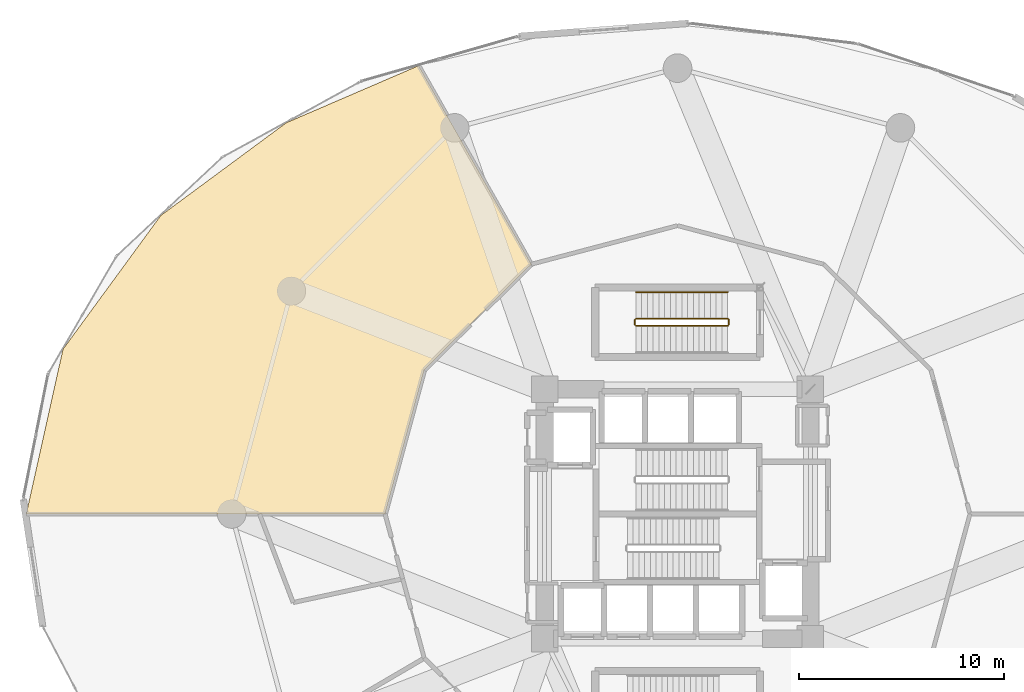
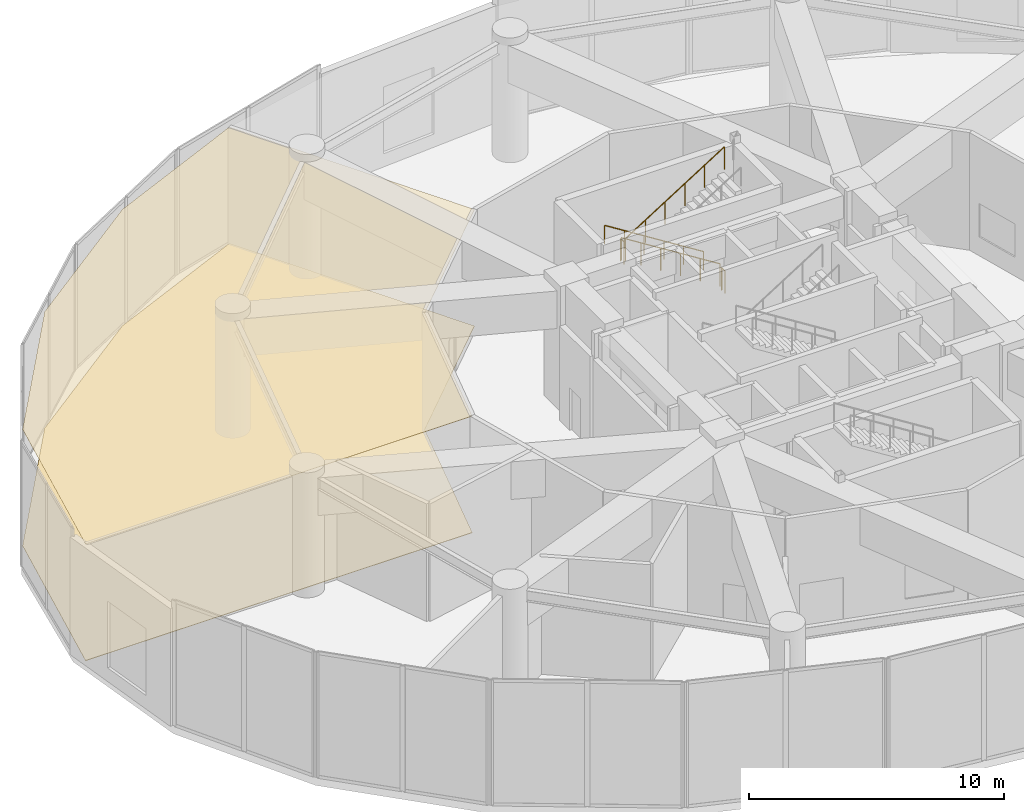
# One storey, part 27 of 28: 5 railings, 2 coverings.
"""IFC4 building model written with IfcOpenShell, lengths in metres."""

from ifc_helpers import new_model, si_unit, direction, frame, origin, origin_2d, place, context, subcontext, project, spatial, polyline, circle, outline, extrude, material, layer, layer_set, type_object, element, save


model = new_model("IFC4")

# Units and contexts
model_context = context("Model", 3, precision=1e-05, world=origin(), true_north=direction((0.0, 1.0)))
body_context = subcontext(model_context, "Body", "Model", "MODEL_VIEW")
ifc_project = project(units=[si_unit("LENGTHUNIT", "METRE"), si_unit("AREAUNIT", "SQUARE_METRE"), si_unit("VOLUMEUNIT", "CUBIC_METRE"), si_unit("PLANEANGLEUNIT", "RADIAN"), si_unit("MASSUNIT", "GRAM", prefix="KILO")], contexts=[model_context])

# Site, building, storey
site_placement = place(None, origin())
site = spatial("IfcSite", under=ifc_project, at=site_placement, CompositionType="ELEMENT")
building_placement = place(site_placement, origin())
building = spatial("IfcBuilding", under=site, at=building_placement, Name="Solvirekh Grand Hotel", CompositionType="ELEMENT")
storey_placement = place(building_placement, frame((0.0, 0.0, 12.60009765625)))
storey = spatial("IfcBuildingStorey", under=building, at=storey_placement, Name="L02", CompositionType="ELEMENT", Elevation=12.60009765625)

# Coverings
ifc_material_1 = material(Name="Acoustic Mineral Ceiling Tile")
ifc_layer_1 = layer(ifc_material_1, 0.02490234375)
ifc_layer_set_1 = layer_set([ifc_layer_1], Name="Acoustic Mineral Ceiling Tile")
covering_type_1 = type_object("IfcCoveringType", Name="Cov_Ceiling_Acoustic", PredefinedType="CEILING", material=ifc_layer_set_1)
covering_1_placement = place(storey_placement, frame((0.0, 0.0, 5.58984375)))
element("IfcCovering", 1, at=covering_1_placement, inside=storey, type_object=covering_type_1, Name="L02 Banquet Plating Kitchen acoustic ceiling", PredefinedType="CEILING", context=body_context, shape_type="SweptSolid", body=[
    extrude(outline(polyline([(-12.656005859375, 21.919921875), (-19.12890625, 19.12890625), (-25.27001953125, 14.590087890625), (-30.049072265625, 8.052001953125), (-31.843017578125, 0.0), (-14.300048828125, 0.0), (-12.384033203125, 7.050048828125), (-7.14990234375, 12.2109375), (-12.656005859375, 21.919921875)])), origin(), (0.0, 0.0, 1.0), 0.01806640625),
])
ifc_material_2 = material(Name="Porcelain Stoneware Flooring", Category="masonry")
ifc_layer_2 = layer(ifc_material_2, 0.030029296875)
ifc_layer_set_2 = layer_set([ifc_layer_2], Name="Porcelain Stoneware Flooring")
covering_type_2 = type_object("IfcCoveringType", Name="Cov_Floor_Stone", PredefinedType="FLOORING", material=ifc_layer_set_2)
covering_2_placement = place(storey_placement, origin())
element("IfcCovering", 2, at=covering_2_placement, inside=storey, type_object=covering_type_2, Name="L02 Banquet Plating Kitchen polished granite flooring", PredefinedType="FLOORING", context=body_context, shape_type="SweptSolid", body=[
    extrude(outline(polyline([(-12.656005859375, 21.919921875), (-19.12890625, 19.12890625), (-25.27001953125, 14.590087890625), (-30.049072265625, 8.052001953125), (-31.843017578125, 0.0), (-14.300048828125, 0.0), (-12.384033203125, 7.050048828125), (-7.14990234375, 12.2109375), (-12.656005859375, 21.919921875)])), origin(), (0.0, 0.0, 1.0), 0.02001953125),
])

# Railings
ifc_material_3 = material(Name="Steel S355", Category="steel")
railing_type_1 = type_object("IfcRailingType", Name="Guard_Stair_1100", PredefinedType="GUARDRAIL", material=ifc_material_3)
railing_1_placement = place(storey_placement, frame((2.449951171875, 9.550048828125, 0.17626953125)))
element("IfcRailing", 3, at=railing_1_placement, inside=storey, type_object=railing_type_1, Name="L02 ST-4 stair guard 1", PredefinedType="GUARDRAIL", context=body_context, shape_type="SweptSolid", body=[
    extrude(circle(Radius=0.02392578125, at=origin_2d()), frame((0.0, 0.0, 1.076171875), z_axis=(-0.845977142166, 0.0, 0.533219162196), x_axis=(0.0, -1.0, 0.0)), (0.0, 0.0, 1.0), 5.295654296875),
    extrude(circle(Radius=0.02099609375, at=origin_2d()), origin(), (0.0, 0.0, 1.0), 1.052001953125),
    extrude(circle(Radius=0.02099609375, at=origin_2d()), frame((-0.89599609375, 0.0, 0.564697265625)), (0.0, 0.0, 1.0), 1.052001953125),
    extrude(circle(Radius=0.02099609375, at=origin_2d()), frame((-1.7919921875, 0.0, 1.12939453125)), (0.0, 0.0, 1.0), 1.052001953125),
    extrude(circle(Radius=0.02099609375, at=origin_2d()), frame((-2.68798828125, 0.0, 1.6943359375)), (0.0, 0.0, 1.0), 1.052001953125),
    extrude(circle(Radius=0.02099609375, at=origin_2d()), frame((-3.583984375, 0.0, 2.259033203125)), (0.0, 0.0, 1.0), 1.052001953125),
    extrude(circle(Radius=0.02099609375, at=origin_2d()), frame((-4.47998046875, 0.0, 2.82373046875)), (0.0, 0.0, 1.0), 1.052001953125),
])
railing_2_placement = place(storey_placement, frame((-2.080078125, 9.5, 3.0)))
element("IfcRailing", 4, at=railing_2_placement, inside=storey, type_object=railing_type_1, Name="L02 ST-4 stair guard 2", PredefinedType="GUARDRAIL", context=body_context, shape_type="SweptSolid", body=[
    extrude(circle(Radius=0.02392578125, at=origin_2d()), frame((0.0, 0.0, 1.076171875), z_axis=(0.0, -1.0, 0.0), x_axis=(1.0, 0.0, 0.0)), (0.0, 0.0, 1.0), 0.25),
    extrude(circle(Radius=0.02099609375, at=origin_2d()), origin(), (0.0, 0.0, 1.0), 1.052001953125),
    extrude(circle(Radius=0.02099609375, at=origin_2d()), frame((0.0, -0.25, 0.0)), (0.0, 0.0, 1.0), 1.052001953125),
])
railing_3_placement = place(storey_placement, frame((-2.030029296875, 9.199951171875, 3.17626953125)))
element("IfcRailing", 5, at=railing_3_placement, inside=storey, type_object=railing_type_1, Name="L02 ST-4 stair guard 3", PredefinedType="GUARDRAIL", context=body_context, shape_type="SweptSolid", body=[
    extrude(circle(Radius=0.02392578125, at=origin_2d()), frame((0.0, 0.0, 1.076171875), z_axis=(0.845977142166, 0.0, 0.533219162196), x_axis=(0.0, 1.0, 0.0)), (0.0, 0.0, 1.0), 5.295654296875),
    extrude(circle(Radius=0.02099609375, at=origin_2d()), origin(), (0.0, 0.0, 1.0), 1.052001953125),
    extrude(circle(Radius=0.02099609375, at=origin_2d()), frame((0.89599609375, 0.0, 0.564697265625)), (0.0, 0.0, 1.0), 1.052001953125),
    extrude(circle(Radius=0.02099609375, at=origin_2d()), frame((1.7919921875, 0.0, 1.12939453125)), (0.0, 0.0, 1.0), 1.052001953125),
    extrude(circle(Radius=0.02099609375, at=origin_2d()), frame((2.68798828125, 0.0, 1.6943359375)), (0.0, 0.0, 1.0), 1.052001953125),
    extrude(circle(Radius=0.02099609375, at=origin_2d()), frame((3.583984375, 0.0, 2.259033203125)), (0.0, 0.0, 1.0), 1.052001953125),
    extrude(circle(Radius=0.02099609375, at=origin_2d()), frame((4.47998046875, 0.0, 2.82373046875)), (0.0, 0.0, 1.0), 1.052001953125),
])
railing_4_placement = place(storey_placement, frame((2.5, 9.5, 0.0)))
element("IfcRailing", 6, at=railing_4_placement, inside=storey, type_object=railing_type_1, Name="L02 ST-4 stair guard 4", PredefinedType="GUARDRAIL", context=body_context, shape_type="SweptSolid", body=[
    extrude(circle(Radius=0.02392578125, at=origin_2d()), frame((0.0, 0.0, 1.076171875), z_axis=(0.0, -1.0, 0.0), x_axis=(1.0, 0.0, 0.0)), (0.0, 0.0, 1.0), 0.25),
    extrude(circle(Radius=0.02099609375, at=origin_2d()), origin(), (0.0, 0.0, 1.0), 1.052001953125),
    extrude(circle(Radius=0.02099609375, at=origin_2d()), frame((0.0, -0.25, 0.0)), (0.0, 0.0, 1.0), 1.052001953125),
])
ifc_material_4 = material(Name="Anodized Bronze Aluminium 6063-T6", Category="aluminium")
railing_type_2 = type_object("IfcRailingType", Name="Handrail_Wall_900", PredefinedType="HANDRAIL", material=ifc_material_4)
railing_5_placement = place(storey_placement, frame((2.449951171875, 10.85009765625, 0.17626953125)))
element("IfcRailing", 7, at=railing_5_placement, inside=storey, type_object=railing_type_2, Name="L02 ST-4 stair handrail 1", PredefinedType="HANDRAIL", context=body_context, shape_type="SweptSolid", body=[
    extrude(circle(Radius=0.02392578125, at=origin_2d()), frame((0.0, 0.0, 0.8759765625), z_axis=(-0.845977142166, 0.0, 0.533219162196), x_axis=(0.0, -1.0, 0.0)), (0.0, 0.0, 1.0), 5.295654296875),
    extrude(circle(Radius=0.02099609375, at=origin_2d()), origin(), (0.0, 0.0, 1.0), 0.851806640625),
    extrude(circle(Radius=0.02099609375, at=origin_2d()), frame((-0.89599609375, 0.0, 0.564697265625)), (0.0, 0.0, 1.0), 0.851806640625),
    extrude(circle(Radius=0.02099609375, at=origin_2d()), frame((-1.7919921875, 0.0, 1.12939453125)), (0.0, 0.0, 1.0), 0.851806640625),
    extrude(circle(Radius=0.02099609375, at=origin_2d()), frame((-2.68798828125, 0.0, 1.6943359375)), (0.0, 0.0, 1.0), 0.851806640625),
    extrude(circle(Radius=0.02099609375, at=origin_2d()), frame((-3.583984375, 0.0, 2.259033203125)), (0.0, 0.0, 1.0), 0.851806640625),
    extrude(circle(Radius=0.02099609375, at=origin_2d()), frame((-4.47998046875, 0.0, 2.82373046875)), (0.0, 0.0, 1.0), 0.851806640625),
])

save(model, "model.ifc")
